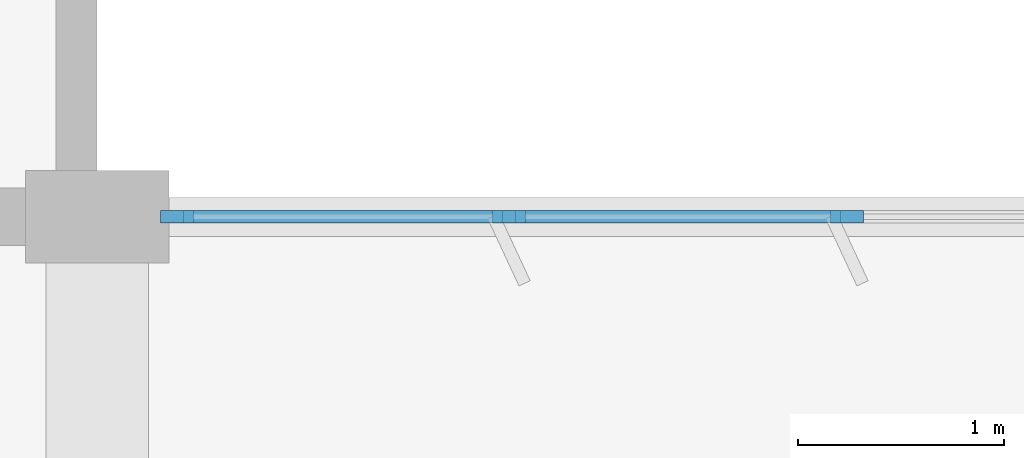
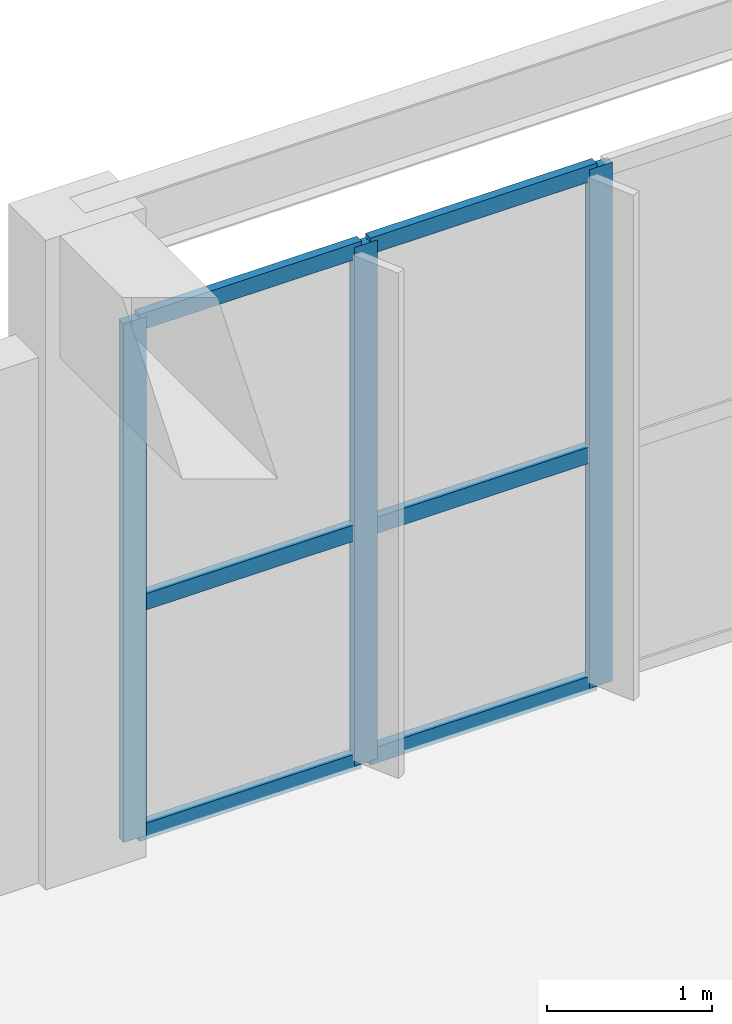
# One storey, part 57 of 186: 9 members, 1 element without a shape of its own.
"""IFC4 building model written with IfcOpenShell, lengths in metres."""

from ifc_helpers import new_model, si_unit, direction, frame, origin, origin_2d, place, context, subcontext, project, spatial, rectangle, extrude, material, layer, layer_set, material_profile, profile_set, type_object, element, aggregate, save


model = new_model("IFC4")

# Units and contexts
model_context = context("Model", 3, precision=1e-05, world=origin(), true_north=direction((0.0, 1.0)))
body_context = subcontext(model_context, "Body", "Model", "MODEL_VIEW")
ifc_project = project(units=[si_unit("LENGTHUNIT", "METRE"), si_unit("AREAUNIT", "SQUARE_METRE"), si_unit("VOLUMEUNIT", "CUBIC_METRE"), si_unit("PLANEANGLEUNIT", "RADIAN"), si_unit("MASSUNIT", "GRAM", prefix="KILO")], contexts=[model_context])

# Site, building, storey
site_placement = place(None, origin())
site = spatial("IfcSite", under=ifc_project, at=site_placement, CompositionType="ELEMENT")
building_placement = place(site_placement, origin())
building = spatial("IfcBuilding", under=site, at=building_placement, Name="Tarnwether General Hospital", CompositionType="ELEMENT")
storey_placement = place(building_placement, frame((0.0, 0.0, 9.60009765625)))
storey = spatial("IfcBuildingStorey", under=building, at=storey_placement, Name="L02", CompositionType="ELEMENT", Elevation=9.60009765625)

# Curtain wall, members
ifc_material_1 = material(Name="Anodised aluminium", Category="aluminium")
ifc_layer = layer(ifc_material_1, 0.159912109375)
ifc_layer_set = layer_set([ifc_layer], Name="Anodised aluminium")
curtain_wall_type = type_object("IfcCurtainWallType", Name="CW-24", PredefinedType="NOTDEFINED", material=ifc_layer_set)
curtain_wall_placement = place(storey_placement, origin())
curtain_wall = element("IfcCurtainWall", 1, at=curtain_wall_placement, inside=storey, type_object=curtain_wall_type, Name="Curtain Wall CWG-L02-719_456-0433", PredefinedType="NOTDEFINED")
ifc_material_2 = material(Name="Anodised aluminium", Category="aluminium")
ifc_material_profile_1 = material_profile(ifc_material_2, rectangle(XDim=0.06005859375, YDim=0.159912109375, at=origin_2d()), Name="ALU-MUL-60x160")
ifc_profile_set_1 = profile_set([ifc_material_profile_1], Name="Anodised aluminium")
member_type_1 = type_object("IfcMemberType", Name="CW-ML1", PredefinedType="MULLION", material=ifc_profile_set_1)
member_1_placement = place(storey_placement, frame((63.6455078125, 45.60009765625, 0.0), z_axis=(0.0, 0.0, 1.0), x_axis=(0.0, -1.0, 0.0)))
member_1 = element("IfcMember", 2, at=member_1_placement, type_object=member_type_1, Name="CW-24 mullion 6", PredefinedType="MULLION", context=body_context, shape_type="SweptSolid", body=[
    extrude(rectangle(XDim=0.06005859375, YDim=0.159912109375, at=origin_2d()), origin(), (0.0, 0.0, 1.0), 3.8349609375),
])
member_2_placement = place(storey_placement, frame((62.001708984375, 45.60009765625, 0.0), z_axis=(0.0, 0.0, 1.0), x_axis=(0.0, -1.0, 0.0)))
member_2 = element("IfcMember", 3, at=member_2_placement, type_object=member_type_1, Name="CW-24 mullion 7", PredefinedType="MULLION", context=body_context, shape_type="SweptSolid", body=[
    extrude(rectangle(XDim=0.06005859375, YDim=0.159912109375, at=origin_2d()), origin(), (0.0, 0.0, 1.0), 3.8349609375),
])
member_3_placement = place(storey_placement, frame((60.387939453125, 45.60009765625, 0.0), z_axis=(0.0, 0.0, 1.0), x_axis=(0.0, -1.0, 0.0)))
member_3 = element("IfcMember", 4, at=member_3_placement, type_object=member_type_1, Name="CW-24 mullion 8", PredefinedType="MULLION", context=body_context, shape_type="SweptSolid", body=[
    extrude(rectangle(XDim=0.06005859375, YDim=0.159912109375, at=origin_2d()), origin(), (0.0, 0.0, 1.0), 3.8349609375),
])
ifc_material_3 = material(Name="Anodised aluminium", Category="aluminium")
ifc_material_profile_2 = material_profile(ifc_material_3, rectangle(XDim=0.06005859375, YDim=0.1201171875, at=origin_2d()), Name="ALU-TRN-60x120")
ifc_profile_set_2 = profile_set([ifc_material_profile_2], Name="Anodised aluminium")
member_type_2 = type_object("IfcMemberType", Name="CW-TR1", PredefinedType="USERDEFINED", material=ifc_profile_set_2)
member_4_placement = place(storey_placement, frame((63.615478515625, 45.60009765625, 0.02978515625), z_axis=(-1.0, 0.0, 0.0), x_axis=(0.0, -1.0, 0.0)))
member_4 = element("IfcMember", 5, at=member_4_placement, type_object=member_type_2, Name="CW-24 transom 6.1", ObjectType="TRANSOM", PredefinedType="USERDEFINED", context=body_context, shape_type="SweptSolid", body=[
    extrude(rectangle(XDim=0.06005859375, YDim=0.1201171875, at=origin_2d()), origin(), (0.0, 0.0, 1.0), 1.583740234375),
])
member_5_placement = place(storey_placement, frame((63.615478515625, 45.60009765625, 1.7255859375), z_axis=(-1.0, 0.0, 0.0), x_axis=(0.0, -1.0, 0.0)))
member_5 = element("IfcMember", 6, at=member_5_placement, type_object=member_type_2, Name="CW-24 transom 6.2", ObjectType="TRANSOM", PredefinedType="USERDEFINED", context=body_context, shape_type="SweptSolid", body=[
    extrude(rectangle(XDim=0.06005859375, YDim=0.1201171875, at=origin_2d()), origin(), (0.0, 0.0, 1.0), 1.583740234375),
])
member_6_placement = place(storey_placement, frame((63.615478515625, 45.60009765625, 3.804931640625), z_axis=(-1.0, 0.0, 0.0), x_axis=(0.0, -1.0, 0.0)))
member_6 = element("IfcMember", 7, at=member_6_placement, type_object=member_type_2, Name="CW-24 transom 6.3", ObjectType="TRANSOM", PredefinedType="USERDEFINED", context=body_context, shape_type="SweptSolid", body=[
    extrude(rectangle(XDim=0.06005859375, YDim=0.1201171875, at=origin_2d()), origin(), (0.0, 0.0, 1.0), 1.583740234375),
])
member_7_placement = place(storey_placement, frame((61.9716796875, 45.60009765625, 0.02978515625), z_axis=(-1.0, 0.0, 0.0), x_axis=(0.0, -1.0, 0.0)))
member_7 = element("IfcMember", 8, at=member_7_placement, type_object=member_type_2, Name="CW-24 transom 7.1", ObjectType="TRANSOM", PredefinedType="USERDEFINED", context=body_context, shape_type="SweptSolid", body=[
    extrude(rectangle(XDim=0.06005859375, YDim=0.1201171875, at=origin_2d()), origin(), (0.0, 0.0, 1.0), 1.5537109375),
])
member_8_placement = place(storey_placement, frame((61.9716796875, 45.60009765625, 1.7255859375), z_axis=(-1.0, 0.0, 0.0), x_axis=(0.0, -1.0, 0.0)))
member_8 = element("IfcMember", 9, at=member_8_placement, type_object=member_type_2, Name="CW-24 transom 7.2", ObjectType="TRANSOM", PredefinedType="USERDEFINED", context=body_context, shape_type="SweptSolid", body=[
    extrude(rectangle(XDim=0.06005859375, YDim=0.1201171875, at=origin_2d()), origin(), (0.0, 0.0, 1.0), 1.5537109375),
])
member_9_placement = place(storey_placement, frame((61.9716796875, 45.60009765625, 3.804931640625), z_axis=(-1.0, 0.0, 0.0), x_axis=(0.0, -1.0, 0.0)))
member_9 = element("IfcMember", 10, at=member_9_placement, type_object=member_type_2, Name="CW-24 transom 7.3", ObjectType="TRANSOM", PredefinedType="USERDEFINED", context=body_context, shape_type="SweptSolid", body=[
    extrude(rectangle(XDim=0.06005859375, YDim=0.1201171875, at=origin_2d()), origin(), (0.0, 0.0, 1.0), 1.5537109375),
])
aggregate(curtain_wall, [member_1, member_2, member_3, member_4, member_5, member_6, member_7, member_8, member_9])

save(model, "model.ifc")
